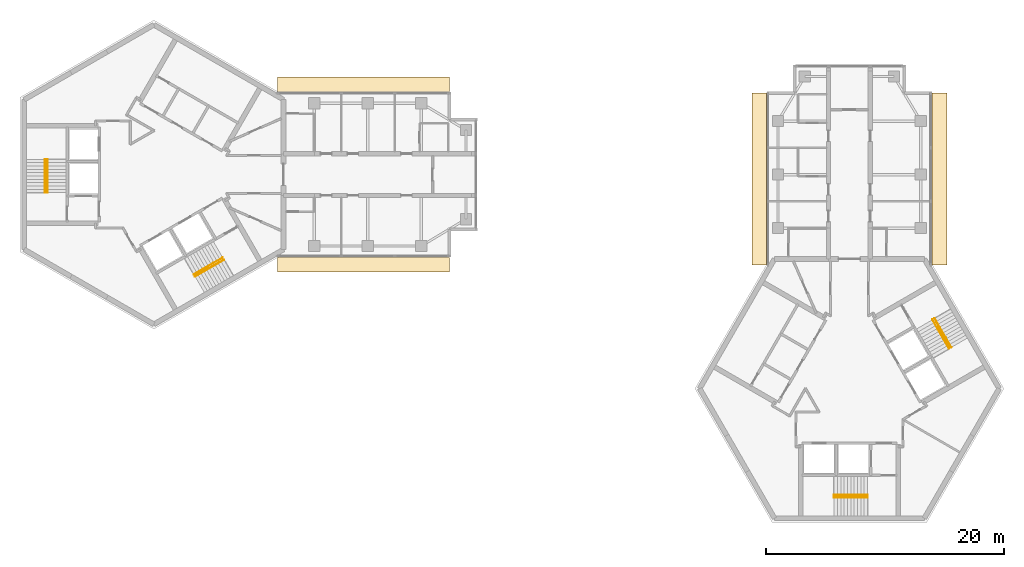
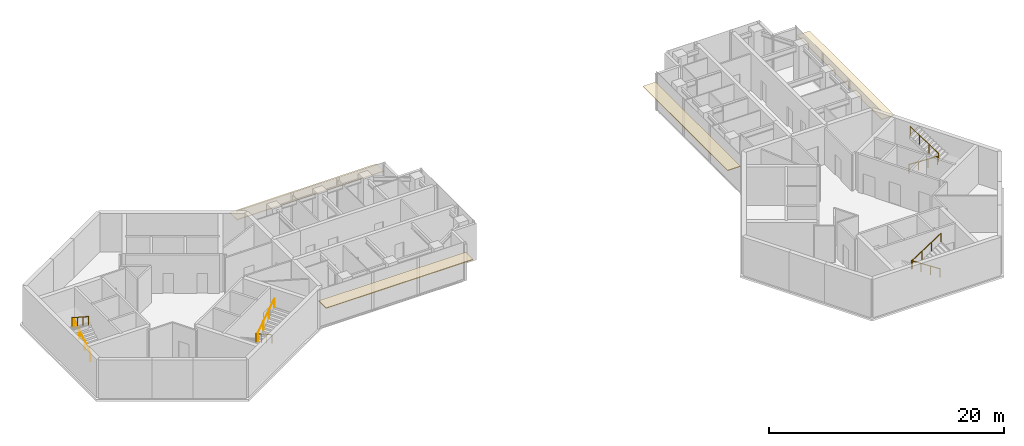
# One storey, part 11 of 11: 8 railings, 4 coverings.
"""IFC4 building model written with IfcOpenShell, lengths in metres."""

from ifc_helpers import new_model, si_unit, direction, frame, origin, origin_2d, place, context, subcontext, project, spatial, rectangle, circle, extrude, material, layer, layer_set, type_object, element, save


model = new_model("IFC4")

# Units and contexts
model_context = context("Model", 3, precision=1e-05, world=origin(), true_north=direction((0.0, 1.0)))
body_context = subcontext(model_context, "Body", "Model", "MODEL_VIEW")
ifc_project = project(units=[si_unit("LENGTHUNIT", "METRE"), si_unit("AREAUNIT", "SQUARE_METRE"), si_unit("VOLUMEUNIT", "CUBIC_METRE"), si_unit("PLANEANGLEUNIT", "RADIAN"), si_unit("MASSUNIT", "GRAM", prefix="KILO")], contexts=[model_context])

# Site, building, storey
site_placement = place(None, origin())
site = spatial("IfcSite", under=ifc_project, at=site_placement, CompositionType="ELEMENT")
building_placement = place(site_placement, origin())
building = spatial("IfcBuilding", under=site, at=building_placement, Name="Upepo Twin Towers", CompositionType="ELEMENT")
storey_placement = place(building_placement, frame((0.0, 0.0, 271.5)))
storey = spatial("IfcBuildingStorey", under=building, at=storey_placement, Name="L66", CompositionType="ELEMENT", Elevation=271.5)

# Coverings
ifc_material_1 = material(Name="Anodised aluminium, pale silver", Category="aluminium")
ifc_layer = layer(ifc_material_1, 0.080078125)
ifc_layer_set = layer_set([ifc_layer], Name="Brise-soleil blade 1250 pale aluminium")
covering_type = type_object("IfcCoveringType", Name="Brise-soleil blade 1250 pale aluminium", PredefinedType="USERDEFINED", material=ifc_layer_set)
for number, where, z_axis, x_axis, name in (
    (1, (17.61865234375, 7.590087890625, 2.909912109375), (0.0, 0.0, 1.0), (1.0, 0.0, 0.0), "T1 L66 wing A brise-soleil L"),
    (2, (17.61865234375, -7.590087890625, 2.909912109375), (0.0, 0.0, 1.0), (1.0, 0.0, 0.0), "T1 L66 wing A brise-soleil R"),
    (3, (50.909912109375, -0.38134765625, 2.909912109375), (0.0, 0.0, 1.0), (0.0, 1.0, 0.0), "T2 L66 wing A brise-soleil L"),
    (4, (66.090087890625, -0.38134765625, 2.909912109375), (0.0, 0.0, 1.0), (0.0, 1.0, 0.0), "T2 L66 wing A brise-soleil R"),
):
    element("IfcCovering", number, at=place(storey_placement, frame(where, z_axis=z_axis, x_axis=x_axis)), inside=storey, type_object=covering_type, Name=name, ObjectType="SUNSHADE", PredefinedType="USERDEFINED", context=body_context, shape_type="SweptSolid", body=[
        extrude(rectangle(XDim=14.462890625, YDim=1.25, at=origin_2d()), origin(), (0.0, 0.0, 1.0), 0.080078125),
    ])

# Railings
ifc_material_2 = material(Name="Stainless steel", Category="steel")
railing_type = type_object("IfcRailingType", Name="Stair handrail 900", PredefinedType="HANDRAIL", material=ifc_material_2)
railing_1_placement = place(storey_placement, frame((-8.949951171875, -1.52001953125, 0.181884765625)))
element("IfcRailing", 5, at=railing_1_placement, inside=storey, type_object=railing_type, Name="T1 stair S1 L66 handrail 1", PredefinedType="HANDRAIL", context=body_context, shape_type="SweptSolid", body=[
    extrude(circle(Radius=0.02392578125, at=origin_2d()), frame((0.0, 0.0, 0.8759765625), z_axis=(0.0, 0.838705829183, 0.544584733623), x_axis=(-1.0, 0.0, 0.0)), (0.0, 0.0, 1.0), 3.338623046875),
    extrude(circle(Radius=0.02099609375, at=origin_2d()), origin(), (0.0, 0.0, 1.0), 0.851806640625),
    extrude(circle(Radius=0.02099609375, at=origin_2d()), frame((0.0, 0.933349609375, 0.60595703125)), (0.0, 0.0, 1.0), 0.851806640625),
    extrude(circle(Radius=0.02099609375, at=origin_2d()), frame((0.0, 1.86669921875, 1.212158203125)), (0.0, 0.0, 1.0), 0.851806640625),
    extrude(circle(Radius=0.02099609375, at=origin_2d()), frame((0.0, 2.800048828125, 1.818115234375)), (0.0, 0.0, 1.0), 0.851806640625),
])
railing_2_placement = place(storey_placement, frame((-9.158447265625, 1.280029296875, 2.181884765625)))
element("IfcRailing", 6, at=railing_2_placement, inside=storey, type_object=railing_type, Name="T1 stair S1 L66 handrail 2", PredefinedType="HANDRAIL", context=body_context, shape_type="SweptSolid", body=[
    extrude(circle(Radius=0.02392578125, at=origin_2d()), frame((0.0, 0.0, 0.8759765625), z_axis=(0.0, -0.838705829183, 0.544584733623), x_axis=(1.0, 0.0, 0.0)), (0.0, 0.0, 1.0), 3.338623046875),
    extrude(circle(Radius=0.02099609375, at=origin_2d()), origin(), (0.0, 0.0, 1.0), 0.851806640625),
    extrude(circle(Radius=0.02099609375, at=origin_2d()), frame((0.0, -0.933349609375, 0.60595703125)), (0.0, 0.0, 1.0), 0.851806640625),
    extrude(circle(Radius=0.02099609375, at=origin_2d()), frame((0.0, -1.86669921875, 1.212158203125)), (0.0, 0.0, 1.0), 0.851806640625),
    extrude(circle(Radius=0.02099609375, at=origin_2d()), frame((0.0, -2.800048828125, 1.818115234375)), (0.0, 0.0, 1.0), 0.851806640625),
])
railing_3_placement = place(storey_placement, frame((5.791259765625, -6.990966796875, 0.181884765625)))
element("IfcRailing", 7, at=railing_3_placement, inside=storey, type_object=railing_type, Name="T1 stair S2 L66 handrail 1", PredefinedType="HANDRAIL", context=body_context, shape_type="SweptSolid", body=[
    extrude(circle(Radius=0.02392578125, at=origin_2d()), frame((0.0, 0.0, 0.8759765625), z_axis=(-0.726336304947, -0.419332699614, 0.544605966869), x_axis=(0.49998411664, -0.866034573852, 0.0)), (0.0, 0.0, 1.0), 3.33837890625),
    extrude(circle(Radius=0.02099609375, at=origin_2d()), origin(), (0.0, 0.0, 1.0), 0.851806640625),
    extrude(circle(Radius=0.02099609375, at=origin_2d()), frame((-0.808349609375, -0.466552734375, 0.60595703125)), (0.0, 0.0, 1.0), 0.851806640625),
    extrude(circle(Radius=0.02099609375, at=origin_2d()), frame((-1.616455078125, -0.933349609375, 1.212158203125)), (0.0, 0.0, 1.0), 0.851806640625),
    extrude(circle(Radius=0.02099609375, at=origin_2d()), frame((-2.4248046875, -1.39990234375, 1.818115234375)), (0.0, 0.0, 1.0), 0.851806640625),
])
railing_4_placement = place(storey_placement, frame((3.470703125, -8.5712890625, 2.181884765625)))
element("IfcRailing", 8, at=railing_4_placement, inside=storey, type_object=railing_type, Name="T1 stair S2 L66 handrail 2", PredefinedType="HANDRAIL", context=body_context, shape_type="SweptSolid", body=[
    extrude(circle(Radius=0.02392578125, at=origin_2d()), frame((0.0, 0.0, 0.8759765625), z_axis=(0.726336304947, 0.419332699614, 0.544605966869), x_axis=(-0.49998411664, 0.866034573852, 0.0)), (0.0, 0.0, 1.0), 3.33837890625),
    extrude(circle(Radius=0.02099609375, at=origin_2d()), origin(), (0.0, 0.0, 1.0), 0.851806640625),
    extrude(circle(Radius=0.02099609375, at=origin_2d()), frame((0.808349609375, 0.466552734375, 0.60595703125)), (0.0, 0.0, 1.0), 0.851806640625),
    extrude(circle(Radius=0.02099609375, at=origin_2d()), frame((1.616455078125, 0.933349609375, 1.212158203125)), (0.0, 0.0, 1.0), 0.851806640625),
    extrude(circle(Radius=0.02099609375, at=origin_2d()), frame((2.4248046875, 1.39990234375, 1.818115234375)), (0.0, 0.0, 1.0), 0.851806640625),
])
railing_5_placement = place(storey_placement, frame((60.02001953125, -26.949951171875, 0.181884765625)))
element("IfcRailing", 9, at=railing_5_placement, inside=storey, type_object=railing_type, Name="T2 stair S1 L66 handrail 1", PredefinedType="HANDRAIL", context=body_context, shape_type="SweptSolid", body=[
    extrude(circle(Radius=0.02392578125, at=origin_2d()), frame((0.0, 0.0, 0.8759765625), z_axis=(-0.838705829183, 0.0, 0.544584733623), x_axis=(0.0, -1.0, 0.0)), (0.0, 0.0, 1.0), 3.338623046875),
    extrude(circle(Radius=0.02099609375, at=origin_2d()), origin(), (0.0, 0.0, 1.0), 0.851806640625),
    extrude(circle(Radius=0.02099609375, at=origin_2d()), frame((-0.933349609375, 0.0, 0.60595703125)), (0.0, 0.0, 1.0), 0.851806640625),
    extrude(circle(Radius=0.02099609375, at=origin_2d()), frame((-1.86669921875, 0.0, 1.212158203125)), (0.0, 0.0, 1.0), 0.851806640625),
    extrude(circle(Radius=0.02099609375, at=origin_2d()), frame((-2.800048828125, 0.0, 1.818115234375)), (0.0, 0.0, 1.0), 0.851806640625),
])
railing_6_placement = place(storey_placement, frame((57.219970703125, -27.158447265625, 2.181884765625)))
element("IfcRailing", 10, at=railing_6_placement, inside=storey, type_object=railing_type, Name="T2 stair S1 L66 handrail 2", PredefinedType="HANDRAIL", context=body_context, shape_type="SweptSolid", body=[
    extrude(circle(Radius=0.02392578125, at=origin_2d()), frame((0.0, 0.0, 0.8759765625), z_axis=(0.838705829183, 0.0, 0.544584733623), x_axis=(0.0, 1.0, 0.0)), (0.0, 0.0, 1.0), 3.338623046875),
    extrude(circle(Radius=0.02099609375, at=origin_2d()), origin(), (0.0, 0.0, 1.0), 0.851806640625),
    extrude(circle(Radius=0.02099609375, at=origin_2d()), frame((0.933349609375, 0.0, 0.60595703125)), (0.0, 0.0, 1.0), 0.851806640625),
    extrude(circle(Radius=0.02099609375, at=origin_2d()), frame((1.86669921875, 0.0, 1.212158203125)), (0.0, 0.0, 1.0), 0.851806640625),
    extrude(circle(Radius=0.02099609375, at=origin_2d()), frame((2.800048828125, 0.0, 1.818115234375)), (0.0, 0.0, 1.0), 0.851806640625),
])
railing_7_placement = place(storey_placement, frame((65.490966796875, -12.208740234375, 0.181884765625)))
element("IfcRailing", 11, at=railing_7_placement, inside=storey, type_object=railing_type, Name="T2 stair S2 L66 handrail 1", PredefinedType="HANDRAIL", context=body_context, shape_type="SweptSolid", body=[
    extrude(circle(Radius=0.02392578125, at=origin_2d()), frame((0.0, 0.0, 0.8759765625), z_axis=(0.419332699614, -0.726336304947, 0.544605966869), x_axis=(0.866034573852, 0.49998411664, 0.0)), (0.0, 0.0, 1.0), 3.33837890625),
    extrude(circle(Radius=0.02099609375, at=origin_2d()), origin(), (0.0, 0.0, 1.0), 0.851806640625),
    extrude(circle(Radius=0.02099609375, at=origin_2d()), frame((0.466552734375, -0.808349609375, 0.60595703125)), (0.0, 0.0, 1.0), 0.851806640625),
    extrude(circle(Radius=0.02099609375, at=origin_2d()), frame((0.933349609375, -1.616455078125, 1.212158203125)), (0.0, 0.0, 1.0), 0.851806640625),
    extrude(circle(Radius=0.02099609375, at=origin_2d()), frame((1.39990234375, -2.4248046875, 1.818115234375)), (0.0, 0.0, 1.0), 0.851806640625),
])
railing_8_placement = place(storey_placement, frame((67.0712890625, -14.529296875, 2.181884765625)))
element("IfcRailing", 12, at=railing_8_placement, inside=storey, type_object=railing_type, Name="T2 stair S2 L66 handrail 2", PredefinedType="HANDRAIL", context=body_context, shape_type="SweptSolid", body=[
    extrude(circle(Radius=0.02392578125, at=origin_2d()), frame((0.0, 0.0, 0.8759765625), z_axis=(-0.419332699614, 0.726336304947, 0.544605966869), x_axis=(-0.866034573852, -0.49998411664, 0.0)), (0.0, 0.0, 1.0), 3.33837890625),
    extrude(circle(Radius=0.02099609375, at=origin_2d()), origin(), (0.0, 0.0, 1.0), 0.851806640625),
    extrude(circle(Radius=0.02099609375, at=origin_2d()), frame((-0.466552734375, 0.808349609375, 0.60595703125)), (0.0, 0.0, 1.0), 0.851806640625),
    extrude(circle(Radius=0.02099609375, at=origin_2d()), frame((-0.933349609375, 1.616455078125, 1.212158203125)), (0.0, 0.0, 1.0), 0.851806640625),
    extrude(circle(Radius=0.02099609375, at=origin_2d()), frame((-1.39990234375, 2.4248046875, 1.818115234375)), (0.0, 0.0, 1.0), 0.851806640625),
])

save(model, "model.ifc")
